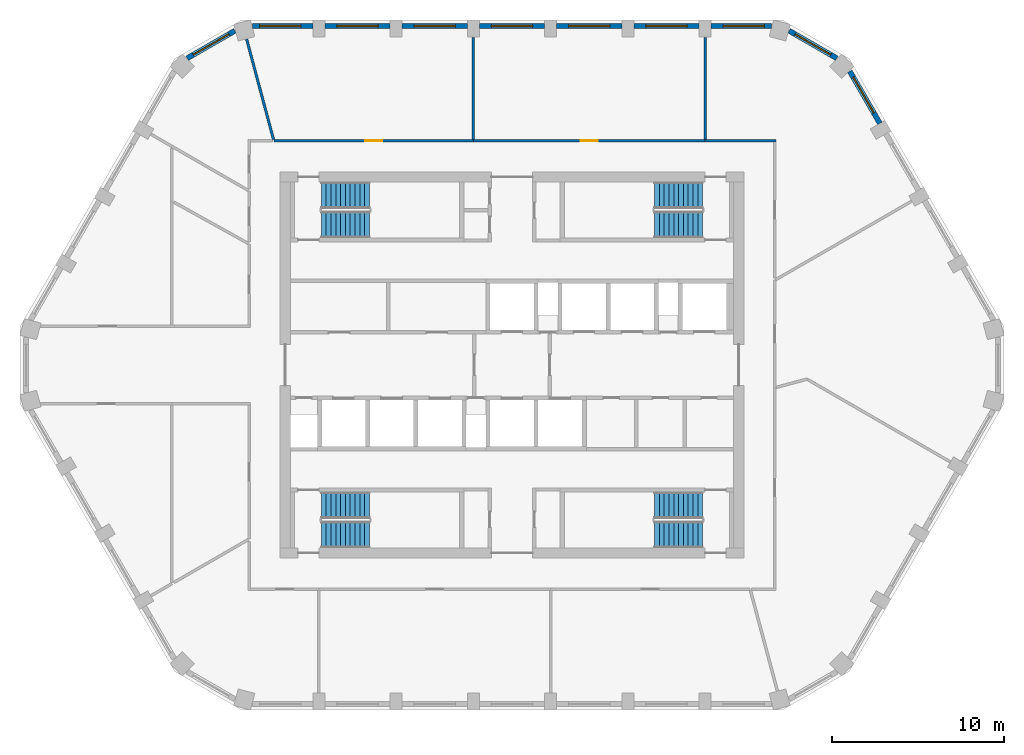
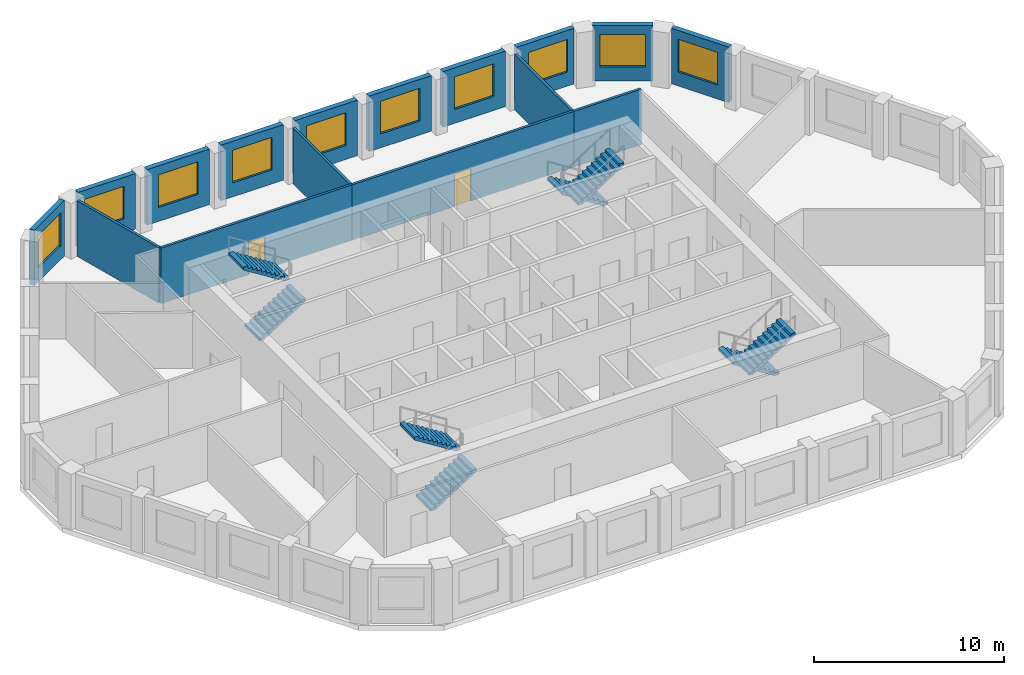
# One storey, part 6 of 7: 16 walls, 10 windows, 8 stair flights, 2 doors, 12 openings, 4 elements without a shape of their own.
"""IFC4 building model written with IfcOpenShell, lengths in metres."""

import ifcopenshell
import ifcopenshell.guid

model = None  # the IFC model being written
_history = None  # IfcOwnerHistory: only IFC2X3 demands one
_inside = {}  # id of a spatial element -> (the spatial element, [elements in it])
_under = {}  # id of a project, library or spatial element -> (it, [spatial elements below it])
_declared = {}  # id of a project -> (the project, [libraries it declares])
_typed = {}  # id of a type object -> (the type object, [elements of that type])
_made_of = {}  # id of a material, layer set ... -> (it, [elements and type objects made of it])


def new_model(schema):
    """Start an empty IFC model of exactly this schema.

    Asked for "IFC4X3", IfcOpenShell would pick the latest addendum, in which some entities
    have other attributes; the version numbers below select the first issue.
    IFC2X3 requires an IfcOwnerHistory on every rooted entity: one is made here for all.
    """
    global model, _history
    if schema == "IFC4X3":
        model = ifcopenshell.file(schema_version=(4, 3, 0, 0))
    else:
        model = ifcopenshell.file(schema=schema)
    _inside.clear()
    _under.clear()
    _declared.clear()
    _typed.clear()
    _made_of.clear()
    _history = None
    if model.schema == "IFC2X3":
        org = make("IfcOrganization", Name="unknown")
        user = make(
            "IfcPersonAndOrganization",
            ThePerson=make("IfcPerson", FamilyName="unknown"),
            TheOrganization=org,
        )
        app = make(
            "IfcApplication",
            ApplicationDeveloper=org,
            Version="unknown",
            ApplicationFullName="unknown",
            ApplicationIdentifier="unknown",
        )
        _history = make(
            "IfcOwnerHistory",
            OwningUser=user,
            OwningApplication=app,
            ChangeAction="ADDED",
            CreationDate=0,
        )
    return model


def make(cls, **values):
    """One entity of the class cls with the attributes given. An attribute that is None is left unset."""
    return model.create_entity(
        cls, **{name: value for name, value in values.items() if value is not None}
    )


def rooted(cls, **values):
    """An entity with a GlobalId (a new one), such as an element, a storey or a relation."""
    return make(cls, GlobalId=ifcopenshell.guid.new(), OwnerHistory=_history, **values)


def si_unit(unit_type, name, prefix=None):
    """IfcSIUnit, for example si_unit("LENGTHUNIT", "METRE", prefix="MILLI")."""
    return make("IfcSIUnit", UnitType=unit_type, Prefix=prefix, Name=name)


def assignment(units):
    """IfcUnitAssignment: the units of a project."""
    return None if units is None else make("IfcUnitAssignment", Units=units)


def point(xyz):
    """IfcCartesianPoint."""
    return None if xyz is None else make("IfcCartesianPoint", Coordinates=xyz)


def direction(xyz):
    """IfcDirection."""
    return None if xyz is None else make("IfcDirection", DirectionRatios=xyz)


def frame(location, z_axis=None, x_axis=None):
    """IfcAxis2Placement3D, a coordinate frame: its origin and axes. An axis left out is left unset."""
    return make(
        "IfcAxis2Placement3D",
        Location=point(location),
        Axis=direction(z_axis),
        RefDirection=direction(x_axis),
    )


def frame_2d(location, x_axis=None):
    """IfcAxis2Placement2D, a coordinate frame in the plane: its origin and x axis."""
    return make(
        "IfcAxis2Placement2D", Location=point(location), RefDirection=direction(x_axis)
    )


def origin():
    """The frame at (0, 0, 0) with its axes left unset."""
    return frame((0.0, 0.0, 0.0))


def place(relative_to, where):
    """IfcLocalPlacement: puts the frame where relative to a parent placement (None: the world)."""
    return make(
        "IfcLocalPlacement", PlacementRelTo=relative_to, RelativePlacement=where
    )


def context(
    kind, dimensions, precision=None, world=None, true_north=None, identifier=None
):
    """IfcGeometricRepresentationContext, for example the 3D "Model" context."""
    return make(
        "IfcGeometricRepresentationContext",
        ContextIdentifier=identifier,
        ContextType=kind,
        CoordinateSpaceDimension=dimensions,
        Precision=precision,
        WorldCoordinateSystem=world,
        TrueNorth=true_north,
    )


def subcontext(parent, identifier, kind, view, scale=None):
    """IfcGeometricRepresentationSubContext, for example "Body" below "Model"."""
    return make(
        "IfcGeometricRepresentationSubContext",
        ContextIdentifier=identifier,
        ContextType=kind,
        ParentContext=parent,
        TargetScale=scale,
        TargetView=view,
    )


def project(units=None, contexts=None):
    """IfcProject with its units and contexts."""
    return rooted(
        "IfcProject",
        Name="project",
        RepresentationContexts=contexts,
        UnitsInContext=assignment(units),
    )


def spatial(cls, under=None, at=None, **own):
    """A site, building, storey or space (cls), placed at a placement, below another one or the project."""
    s = rooted(cls, ObjectPlacement=at, **own)
    if under is not None:
        _under.setdefault(under.id(), (under, []))[1].append(s)
    return s


def polyline(points):
    """IfcPolyline through the points."""
    return make("IfcPolyline", Points=[point(p) for p in points])


def profile(cls, at=None, kind="AREA", **sizes):
    """A parametric profile (cls). Its sizes go by their IFC names, for example OverallWidth=200.0."""
    return make(cls, ProfileType=kind, Position=at, **sizes)


def rectangle(**sizes):
    """IfcRectangleProfileDef."""
    return profile("IfcRectangleProfileDef", **sizes)


def outline(outer, holes=None, kind="AREA"):
    """IfcArbitraryClosedProfileDef: a profile drawn as a closed curve; with holes, ...WithVoids."""
    if holes is None:
        return make("IfcArbitraryClosedProfileDef", ProfileType=kind, OuterCurve=outer)
    return make(
        "IfcArbitraryProfileDefWithVoids",
        ProfileType=kind,
        OuterCurve=outer,
        InnerCurves=holes,
    )


def extrude(swept, where, along, depth):
    """IfcExtrudedAreaSolid: the profile swept, set in the frame where, extruded along a direction by depth."""
    return make(
        "IfcExtrudedAreaSolid",
        SweptArea=swept,
        Position=where,
        ExtrudedDirection=direction(along),
        Depth=depth,
    )


def shape(context_of_items, identifier, shape_type, items):
    """IfcShapeRepresentation: the items that make up one representation, for example the "Body"."""
    return make(
        "IfcShapeRepresentation",
        ContextOfItems=context_of_items,
        RepresentationIdentifier=identifier,
        RepresentationType=shape_type,
        Items=items,
    )


def material(Name=None, Category=None):
    """IfcMaterial."""
    return make("IfcMaterial", Name=Name, Category=Category)


def layer(
    of_material, thickness, ventilated=None, Name=None, Category=None, Priority=None
):
    """IfcMaterialLayer: one layer of a wall or slab, of a material (None: an air gap)."""
    return make(
        "IfcMaterialLayer",
        Material=of_material,
        LayerThickness=thickness,
        IsVentilated=ventilated,
        Name=Name,
        Category=Category,
        Priority=Priority,
    )


def layer_set(layers, Name=None):
    """IfcMaterialLayerSet."""
    return make("IfcMaterialLayerSet", MaterialLayers=layers, LayerSetName=Name)


def made_of(thing, what):
    """Note that an element or type object is made of a material, layer set ...; save() writes the relation."""
    if what is not None:
        _made_of.setdefault(what.id(), (what, []))[1].append(thing)
    return thing


def type_object(cls, material=None, **own):
    """A type object (cls), such as IfcWallType, which elements share."""
    return made_of(rooted(cls, **own), material)


def element(
    cls,
    number,
    at=None,
    inside=None,
    cuts=None,
    type_object=None,
    material=None,
    context=None,
    identifier="Body",
    shape_type=None,
    held_by="IfcProductDefinitionShape",
    body=None,
    shapes=None,
    **own,
):
    """One element of the class cls, such as IfcWall. Its Tag is "e" and its number.

    at: its placement. inside: the storey or other place that contains it. cuts: it is an
    opening in that element (IfcRelVoidsElement). A single representation is given by context,
    identifier, shape_type and body (its items); several are given by shapes. held_by: the class
    of the entity that holds the representations. save() writes the other relations.
    """
    e = rooted(cls, Tag="e%d" % number, ObjectPlacement=at, **own)
    if body is not None:
        shapes = [shape(context, identifier, shape_type, body)]
    if shapes is not None:
        e.Representation = make(held_by, Representations=shapes)
    if inside is not None:
        _inside.setdefault(inside.id(), (inside, []))[1].append(e)
    if cuts is not None:
        rooted(
            "IfcRelVoidsElement", RelatingBuildingElement=cuts, RelatedOpeningElement=e
        )
    if type_object is not None:
        _typed.setdefault(type_object.id(), (type_object, []))[1].append(e)
    return made_of(e, material)


def fill(opening, filler):
    """IfcRelFillsElement: the door or window that sits in an opening."""
    return rooted(
        "IfcRelFillsElement",
        RelatingOpeningElement=opening,
        RelatedBuildingElement=filler,
    )


def aggregate(whole, parts):
    """IfcRelAggregates: a whole, such as a stair, and the parts it consists of."""
    return rooted("IfcRelAggregates", RelatingObject=whole, RelatedObjects=parts)


def save(model, path):
    """Write the relations noted so far, then the file.

    IfcRelAggregates (storeys below a building ...), IfcRelContainedInSpatialStructure (elements
    in a storey), IfcRelDefinesByType, IfcRelAssociatesMaterial and IfcRelDeclares: one each for
    every whole, place, type object, material and project.
    """
    for whole, parts in _under.values():
        aggregate(whole, parts)
    for where, things in _inside.values():
        rooted(
            "IfcRelContainedInSpatialStructure",
            RelatedElements=things,
            RelatingStructure=where,
        )
    for kind, things in _typed.values():
        rooted("IfcRelDefinesByType", RelatedObjects=things, RelatingType=kind)
    for what, things in _made_of.values():
        rooted("IfcRelAssociatesMaterial", RelatedObjects=things, RelatingMaterial=what)
    for by, libraries in _declared.values():
        rooted("IfcRelDeclares", RelatingContext=by, RelatedDefinitions=libraries)
    model.write(path)


model = new_model("IFC4")

# Units and contexts
model_context = context("Model", 3, precision=1e-05, world=origin(), true_north=direction((0.0, 1.0)))
body_context = subcontext(model_context, "Body", "Model", "MODEL_VIEW")
ifc_project = project(units=[si_unit("LENGTHUNIT", "METRE"), si_unit("AREAUNIT", "SQUARE_METRE"), si_unit("VOLUMEUNIT", "CUBIC_METRE"), si_unit("PLANEANGLEUNIT", "RADIAN"), si_unit("MASSUNIT", "GRAM", prefix="KILO")], contexts=[model_context])

# Site, building, storey
site_placement = place(None, origin())
site = spatial("IfcSite", under=ifc_project, at=site_placement, CompositionType="ELEMENT")
building_placement = place(site_placement, origin())
building = spatial("IfcBuilding", under=site, at=building_placement, Name="Dhurran Vertical Campus", CompositionType="ELEMENT")
storey_placement = place(building_placement, frame((0.0, 0.0, 262.5)))
storey = spatial("IfcBuildingStorey", under=building, at=storey_placement, Name="L65", CompositionType="ELEMENT", Elevation=262.5)

# Wall, opening, window
ifc_material_1 = material(Name="Precast concrete C50/60", Category="concrete")
ifc_layer_1 = layer(ifc_material_1, 0.300048828125)
ifc_layer_set_1 = layer_set([ifc_layer_1], Name="Precast concrete C50/60")
wall_type_1 = type_object("IfcWallType", Name="Precast spandrel wall 300", PredefinedType="SOLIDWALL", material=ifc_layer_set_1)
wall_1_placement = place(storey_placement, frame((21.418701171875, 14.06982421875, 0.0), z_axis=(0.0, 0.0, 1.0), x_axis=(-0.499960102815, 0.866048437209, 0.0)))
wall_1 = element("IfcWall", 1, at=wall_1_placement, inside=storey, type_object=wall_type_1, Name="EW1 L65.16", PredefinedType="SOLIDWALL", context=body_context, shape_type="SweptSolid", body=[
    extrude(rectangle(XDim=3.497802734375, YDim=0.300048828125, at=frame_2d((1.7490234375, 0.0))), origin(), (0.0, 0.0, 1.0), 3.574951171875),
])
opening_1_placement = place(wall_1_placement, frame((0.699462890625, 0.0, 0.89990234375)))
opening_1 = element("IfcOpeningElement", 2, at=opening_1_placement, cuts=wall_1, Name="Opening WT1", PredefinedType="OPENING", context=body_context, shape_type="SweptSolid", body=[
    extrude(rectangle(XDim=2.39990234375, YDim=2.10009765625, at=frame_2d((1.199951171875, 1.050048828125))), frame((0.0, 0.159912109375, 0.0), z_axis=(0.0, -1.0, 0.0), x_axis=(1.0, 0.0, 0.0)), (0.0, 0.0, 1.0), 0.320068359375),
])
ifc_material_2 = material(Name="Aluminium frame with solar-control glass", Category="aluminium")
window_type = type_object("IfcWindowType", Name="Punched window 2400 x 2100", PartitioningType="SINGLE_PANEL", PredefinedType="WINDOW", material=ifc_material_2)
window_1_placement = place(opening_1_placement, origin())
window_1 = element("IfcWindow", 3, at=window_1_placement, inside=storey, type_object=window_type, Name="WT1 L65.16", OverallHeight=2.10009765625, OverallWidth=2.39990234375, PartitioningType="SINGLE_PANEL", PredefinedType="WINDOW", context=body_context, shape_type="SweptSolid", body=[
    extrude(rectangle(XDim=2.39990234375, YDim=2.10009765625, at=frame_2d((1.199951171875, 1.050048828125))), frame((0.0, 0.030029296875, 0.0), z_axis=(0.0, -1.0, 0.0), x_axis=(1.0, 0.0, 0.0)), (0.0, 0.0, 1.0), 0.06005859375),
])
fill(opening_1, window_1)

wall_2_placement = place(storey_placement, frame((18.90771484375, 17.861328125, 0.0), z_axis=(0.0, 0.0, 1.0), x_axis=(-0.866025316205, 0.500000151692, 0.0)))
wall_2 = element("IfcWall", 4, at=wall_2_placement, inside=storey, type_object=wall_type_1, Name="EW1 L65.17", PredefinedType="SOLIDWALL", context=body_context, shape_type="SweptSolid", body=[
    extrude(rectangle(XDim=3.1962890625, YDim=0.300048828125, at=frame_2d((1.59814453125, 0.0))), origin(), (0.0, 0.0, 1.0), 3.574951171875),
])
opening_2_placement = place(wall_2_placement, frame((0.398193359375, 0.0, 0.89990234375)))
opening_2 = element("IfcOpeningElement", 5, at=opening_2_placement, cuts=wall_2, Name="Opening WT1", PredefinedType="OPENING", context=body_context, shape_type="SweptSolid", body=[
    extrude(rectangle(XDim=2.39990234375, YDim=2.10009765625, at=frame_2d((1.199951171875, 1.050048828125))), frame((0.0, 0.159912109375, 0.0), z_axis=(0.0, -1.0, 0.0), x_axis=(1.0, 0.0, 0.0)), (0.0, 0.0, 1.0), 0.320068359375),
])
window_2_placement = place(opening_2_placement, origin())
window_2 = element("IfcWindow", 6, at=window_2_placement, inside=storey, type_object=window_type, Name="WT1 L65.17", OverallHeight=2.10009765625, OverallWidth=2.39990234375, PartitioningType="SINGLE_PANEL", PredefinedType="WINDOW", context=body_context, shape_type="SweptSolid", body=[
    extrude(rectangle(XDim=2.39990234375, YDim=2.10009765625, at=frame_2d((1.199951171875, 1.050048828125))), frame((0.0, 0.030029296875, 0.0), z_axis=(0.0, -1.0, 0.0), x_axis=(1.0, 0.0, 0.0)), (0.0, 0.0, 1.0), 0.06005859375),
])
fill(opening_2, window_2)

wall_3_placement = place(storey_placement, frame((15.09814453125, 19.738525390625, 0.0), z_axis=(0.0, 0.0, 1.0), x_axis=(-1.0, 0.0, 0.0)))
wall_3 = element("IfcWall", 7, at=wall_3_placement, inside=storey, type_object=wall_type_1, Name="EW1 L65.18", PredefinedType="SOLIDWALL", context=body_context, shape_type="SweptSolid", body=[
    extrude(rectangle(XDim=3.49755859375, YDim=0.300048828125, at=frame_2d((1.748779296875, 0.0))), origin(), (0.0, 0.0, 1.0), 3.574951171875),
])
opening_3_placement = place(wall_3_placement, frame((0.398193359375, 0.0, 0.89990234375)))
opening_3 = element("IfcOpeningElement", 8, at=opening_3_placement, cuts=wall_3, Name="Opening WT1", PredefinedType="OPENING", context=body_context, shape_type="SweptSolid", body=[
    extrude(rectangle(XDim=2.39990234375, YDim=2.10009765625, at=frame_2d((1.199951171875, 1.050048828125))), frame((0.0, 0.159912109375, 0.0), z_axis=(0.0, -1.0, 0.0), x_axis=(1.0, 0.0, 0.0)), (0.0, 0.0, 1.0), 0.320068359375),
])
window_3_placement = place(opening_3_placement, origin())
window_3 = element("IfcWindow", 9, at=window_3_placement, inside=storey, type_object=window_type, Name="WT1 L65.18", OverallHeight=2.10009765625, OverallWidth=2.39990234375, PartitioningType="SINGLE_PANEL", PredefinedType="WINDOW", context=body_context, shape_type="SweptSolid", body=[
    extrude(rectangle(XDim=2.39990234375, YDim=2.10009765625, at=frame_2d((1.199951171875, 1.050048828125))), frame((0.0, 0.030029296875, 0.0), z_axis=(0.0, -1.0, 0.0), x_axis=(1.0, 0.0, 0.0)), (0.0, 0.0, 1.0), 0.06005859375),
])
fill(opening_3, window_3)

wall_4_placement = place(storey_placement, frame((10.8994140625, 19.738525390625, 0.0), z_axis=(0.0, 0.0, 1.0), x_axis=(-1.0, 0.0, 0.0)))
wall_4 = element("IfcWall", 10, at=wall_4_placement, inside=storey, type_object=wall_type_1, Name="EW1 L65.19", PredefinedType="SOLIDWALL", context=body_context, shape_type="SweptSolid", body=[
    extrude(rectangle(XDim=3.798828125, YDim=0.300048828125, at=frame_2d((1.8994140625, 0.0))), origin(), (0.0, 0.0, 1.0), 3.574951171875),
])
opening_4_placement = place(wall_4_placement, frame((0.699462890625, 0.0, 0.89990234375)))
opening_4 = element("IfcOpeningElement", 11, at=opening_4_placement, cuts=wall_4, Name="Opening WT1", PredefinedType="OPENING", context=body_context, shape_type="SweptSolid", body=[
    extrude(rectangle(XDim=2.39990234375, YDim=2.10009765625, at=frame_2d((1.199951171875, 1.050048828125))), frame((0.0, 0.159912109375, 0.0), z_axis=(0.0, -1.0, 0.0), x_axis=(1.0, 0.0, 0.0)), (0.0, 0.0, 1.0), 0.320068359375),
])
window_4_placement = place(opening_4_placement, origin())
window_4 = element("IfcWindow", 12, at=window_4_placement, inside=storey, type_object=window_type, Name="WT1 L65.19", OverallHeight=2.10009765625, OverallWidth=2.39990234375, PartitioningType="SINGLE_PANEL", PredefinedType="WINDOW", context=body_context, shape_type="SweptSolid", body=[
    extrude(rectangle(XDim=2.39990234375, YDim=2.10009765625, at=frame_2d((1.199951171875, 1.050048828125))), frame((0.0, 0.030029296875, 0.0), z_axis=(0.0, -1.0, 0.0), x_axis=(1.0, 0.0, 0.0)), (0.0, 0.0, 1.0), 0.06005859375),
])
fill(opening_4, window_4)

wall_5_placement = place(storey_placement, frame((6.3994140625, 19.738525390625, 0.0), z_axis=(0.0, 0.0, 1.0), x_axis=(-1.0, 0.0, 0.0)))
wall_5 = element("IfcWall", 13, at=wall_5_placement, inside=storey, type_object=wall_type_1, Name="EW1 L65.20", PredefinedType="SOLIDWALL", context=body_context, shape_type="SweptSolid", body=[
    extrude(rectangle(XDim=3.798828125, YDim=0.300048828125, at=frame_2d((1.8994140625, 0.0))), origin(), (0.0, 0.0, 1.0), 3.574951171875),
])
opening_5_placement = place(wall_5_placement, frame((0.699462890625, 0.0, 0.89990234375)))
opening_5 = element("IfcOpeningElement", 14, at=opening_5_placement, cuts=wall_5, Name="Opening WT1", PredefinedType="OPENING", context=body_context, shape_type="SweptSolid", body=[
    extrude(rectangle(XDim=2.39990234375, YDim=2.10009765625, at=frame_2d((1.199951171875, 1.050048828125))), frame((0.0, 0.159912109375, 0.0), z_axis=(0.0, -1.0, 0.0), x_axis=(1.0, 0.0, 0.0)), (0.0, 0.0, 1.0), 0.320068359375),
])
window_5_placement = place(opening_5_placement, origin())
window_5 = element("IfcWindow", 15, at=window_5_placement, inside=storey, type_object=window_type, Name="WT1 L65.20", OverallHeight=2.10009765625, OverallWidth=2.39990234375, PartitioningType="SINGLE_PANEL", PredefinedType="WINDOW", context=body_context, shape_type="SweptSolid", body=[
    extrude(rectangle(XDim=2.39990234375, YDim=2.10009765625, at=frame_2d((1.199951171875, 1.050048828125))), frame((0.0, 0.030029296875, 0.0), z_axis=(0.0, -1.0, 0.0), x_axis=(1.0, 0.0, 0.0)), (0.0, 0.0, 1.0), 0.06005859375),
])
fill(opening_5, window_5)

wall_6_placement = place(storey_placement, frame((1.8994140625, 19.738525390625, 0.0), z_axis=(0.0, 0.0, 1.0), x_axis=(-1.0, 0.0, 0.0)))
wall_6 = element("IfcWall", 16, at=wall_6_placement, inside=storey, type_object=wall_type_1, Name="EW1 L65.21", PredefinedType="SOLIDWALL", context=body_context, shape_type="SweptSolid", body=[
    extrude(rectangle(XDim=3.798828125, YDim=0.300048828125, at=frame_2d((1.8994140625, 0.0))), origin(), (0.0, 0.0, 1.0), 3.574951171875),
])
opening_6_placement = place(wall_6_placement, frame((0.699462890625, 0.0, 0.89990234375)))
opening_6 = element("IfcOpeningElement", 17, at=opening_6_placement, cuts=wall_6, Name="Opening WT1", PredefinedType="OPENING", context=body_context, shape_type="SweptSolid", body=[
    extrude(rectangle(XDim=2.39990234375, YDim=2.10009765625, at=frame_2d((1.199951171875, 1.050048828125))), frame((0.0, 0.159912109375, 0.0), z_axis=(0.0, -1.0, 0.0), x_axis=(1.0, 0.0, 0.0)), (0.0, 0.0, 1.0), 0.320068359375),
])
window_6_placement = place(opening_6_placement, origin())
window_6 = element("IfcWindow", 18, at=window_6_placement, inside=storey, type_object=window_type, Name="WT1 L65.21", OverallHeight=2.10009765625, OverallWidth=2.39990234375, PartitioningType="SINGLE_PANEL", PredefinedType="WINDOW", context=body_context, shape_type="SweptSolid", body=[
    extrude(rectangle(XDim=2.39990234375, YDim=2.10009765625, at=frame_2d((1.199951171875, 1.050048828125))), frame((0.0, 0.030029296875, 0.0), z_axis=(0.0, -1.0, 0.0), x_axis=(1.0, 0.0, 0.0)), (0.0, 0.0, 1.0), 0.06005859375),
])
fill(opening_6, window_6)

wall_7_placement = place(storey_placement, frame((-2.6005859375, 19.738525390625, 0.0), z_axis=(0.0, 0.0, 1.0), x_axis=(-1.0, 0.0, 0.0)))
wall_7 = element("IfcWall", 19, at=wall_7_placement, inside=storey, type_object=wall_type_1, Name="EW1 L65.22", PredefinedType="SOLIDWALL", context=body_context, shape_type="SweptSolid", body=[
    extrude(rectangle(XDim=3.798828125, YDim=0.300048828125, at=frame_2d((1.8994140625, 0.0))), origin(), (0.0, 0.0, 1.0), 3.574951171875),
])
opening_7_placement = place(wall_7_placement, frame((0.699462890625, 0.0, 0.89990234375)))
opening_7 = element("IfcOpeningElement", 20, at=opening_7_placement, cuts=wall_7, Name="Opening WT1", PredefinedType="OPENING", context=body_context, shape_type="SweptSolid", body=[
    extrude(rectangle(XDim=2.39990234375, YDim=2.10009765625, at=frame_2d((1.199951171875, 1.050048828125))), frame((0.0, 0.159912109375, 0.0), z_axis=(0.0, -1.0, 0.0), x_axis=(1.0, 0.0, 0.0)), (0.0, 0.0, 1.0), 0.320068359375),
])
window_7_placement = place(opening_7_placement, origin())
window_7 = element("IfcWindow", 21, at=window_7_placement, inside=storey, type_object=window_type, Name="WT1 L65.22", OverallHeight=2.10009765625, OverallWidth=2.39990234375, PartitioningType="SINGLE_PANEL", PredefinedType="WINDOW", context=body_context, shape_type="SweptSolid", body=[
    extrude(rectangle(XDim=2.39990234375, YDim=2.10009765625, at=frame_2d((1.199951171875, 1.050048828125))), frame((0.0, 0.030029296875, 0.0), z_axis=(0.0, -1.0, 0.0), x_axis=(1.0, 0.0, 0.0)), (0.0, 0.0, 1.0), 0.06005859375),
])
fill(opening_7, window_7)

wall_8_placement = place(storey_placement, frame((-7.1005859375, 19.738525390625, 0.0), z_axis=(0.0, 0.0, 1.0), x_axis=(-1.0, 0.0, 0.0)))
wall_8 = element("IfcWall", 22, at=wall_8_placement, inside=storey, type_object=wall_type_1, Name="EW1 L65.23", PredefinedType="SOLIDWALL", context=body_context, shape_type="SweptSolid", body=[
    extrude(rectangle(XDim=3.798828125, YDim=0.300048828125, at=frame_2d((1.8994140625, 0.0))), origin(), (0.0, 0.0, 1.0), 3.574951171875),
])
opening_8_placement = place(wall_8_placement, frame((0.699462890625, 0.0, 0.89990234375)))
opening_8 = element("IfcOpeningElement", 23, at=opening_8_placement, cuts=wall_8, Name="Opening WT1", PredefinedType="OPENING", context=body_context, shape_type="SweptSolid", body=[
    extrude(rectangle(XDim=2.39990234375, YDim=2.10009765625, at=frame_2d((1.199951171875, 1.050048828125))), frame((0.0, 0.159912109375, 0.0), z_axis=(0.0, -1.0, 0.0), x_axis=(1.0, 0.0, 0.0)), (0.0, 0.0, 1.0), 0.320068359375),
])
window_8_placement = place(opening_8_placement, origin())
window_8 = element("IfcWindow", 24, at=window_8_placement, inside=storey, type_object=window_type, Name="WT1 L65.23", OverallHeight=2.10009765625, OverallWidth=2.39990234375, PartitioningType="SINGLE_PANEL", PredefinedType="WINDOW", context=body_context, shape_type="SweptSolid", body=[
    extrude(rectangle(XDim=2.39990234375, YDim=2.10009765625, at=frame_2d((1.199951171875, 1.050048828125))), frame((0.0, 0.030029296875, 0.0), z_axis=(0.0, -1.0, 0.0), x_axis=(1.0, 0.0, 0.0)), (0.0, 0.0, 1.0), 0.06005859375),
])
fill(opening_8, window_8)

wall_9_placement = place(storey_placement, frame((-11.6005859375, 19.738525390625, 0.0), z_axis=(0.0, 0.0, 1.0), x_axis=(-1.0, 0.0, 0.0)))
wall_9 = element("IfcWall", 25, at=wall_9_placement, inside=storey, type_object=wall_type_1, Name="EW1 L65.24", PredefinedType="SOLIDWALL", context=body_context, shape_type="SweptSolid", body=[
    extrude(rectangle(XDim=3.49755859375, YDim=0.300048828125, at=frame_2d((1.748779296875, 0.0))), origin(), (0.0, 0.0, 1.0), 3.574951171875),
])
opening_9_placement = place(wall_9_placement, frame((0.699462890625, 0.0, 0.89990234375)))
opening_9 = element("IfcOpeningElement", 26, at=opening_9_placement, cuts=wall_9, Name="Opening WT1", PredefinedType="OPENING", context=body_context, shape_type="SweptSolid", body=[
    extrude(rectangle(XDim=2.39990234375, YDim=2.10009765625, at=frame_2d((1.199951171875, 1.050048828125))), frame((0.0, 0.159912109375, 0.0), z_axis=(0.0, -1.0, 0.0), x_axis=(1.0, 0.0, 0.0)), (0.0, 0.0, 1.0), 0.320068359375),
])
window_9_placement = place(opening_9_placement, origin())
window_9 = element("IfcWindow", 27, at=window_9_placement, inside=storey, type_object=window_type, Name="WT1 L65.24", OverallHeight=2.10009765625, OverallWidth=2.39990234375, PartitioningType="SINGLE_PANEL", PredefinedType="WINDOW", context=body_context, shape_type="SweptSolid", body=[
    extrude(rectangle(XDim=2.39990234375, YDim=2.10009765625, at=frame_2d((1.199951171875, 1.050048828125))), frame((0.0, 0.030029296875, 0.0), z_axis=(0.0, -1.0, 0.0), x_axis=(1.0, 0.0, 0.0)), (0.0, 0.0, 1.0), 0.06005859375),
])
fill(opening_9, window_9)

wall_10_placement = place(storey_placement, frame((-16.1396484375, 19.45947265625, 0.0), z_axis=(0.0, 0.0, 1.0), x_axis=(-0.866025316205, -0.500000151692, 0.0)))
wall_10 = element("IfcWall", 28, at=wall_10_placement, inside=storey, type_object=wall_type_1, Name="EW1 L65.25", PredefinedType="SOLIDWALL", context=body_context, shape_type="SweptSolid", body=[
    extrude(rectangle(XDim=3.1962890625, YDim=0.300048828125, at=frame_2d((1.59814453125, 0.0))), origin(), (0.0, 0.0, 1.0), 3.574951171875),
])
opening_10_placement = place(wall_10_placement, frame((0.398193359375, 0.0, 0.89990234375)))
opening_10 = element("IfcOpeningElement", 29, at=opening_10_placement, cuts=wall_10, Name="Opening WT1", PredefinedType="OPENING", context=body_context, shape_type="SweptSolid", body=[
    extrude(rectangle(XDim=2.39990234375, YDim=2.10009765625, at=frame_2d((1.199951171875, 1.050048828125))), frame((0.0, 0.159912109375, 0.0), z_axis=(0.0, -1.0, 0.0), x_axis=(1.0, 0.0, 0.0)), (0.0, 0.0, 1.0), 0.320068359375),
])
window_10_placement = place(opening_10_placement, origin())
window_10 = element("IfcWindow", 30, at=window_10_placement, inside=storey, type_object=window_type, Name="WT1 L65.25", OverallHeight=2.10009765625, OverallWidth=2.39990234375, PartitioningType="SINGLE_PANEL", PredefinedType="WINDOW", context=body_context, shape_type="SweptSolid", body=[
    extrude(rectangle(XDim=2.39990234375, YDim=2.10009765625, at=frame_2d((1.199951171875, 1.050048828125))), frame((0.0, 0.030029296875, 0.0), z_axis=(0.0, -1.0, 0.0), x_axis=(1.0, 0.0, 0.0)), (0.0, 0.0, 1.0), 0.06005859375),
])
fill(opening_10, window_10)

# Wall, opening, door
ifc_material_3 = material(Name="Gypsum board corridor wall on steel studs", Category="steel")
ifc_layer_2 = layer(ifc_material_3, 0.14990234375)
ifc_layer_set_2 = layer_set([ifc_layer_2], Name="Gypsum board corridor wall on steel studs")
wall_type_2 = type_object("IfcWallType", Name="fl-CW-150 corridor wall", PredefinedType="PARTITIONING", material=ifc_layer_set_2)
wall_11_placement = place(storey_placement, frame((-2.25, 13.050048828125, 0.0), z_axis=(0.0, 0.0, 1.0), x_axis=(-1.0, 0.0, 0.0)))
wall_11 = element("IfcWall", 31, at=wall_11_placement, inside=storey, type_object=wall_type_2, Name="Partition 65-21", PredefinedType="PARTITIONING", context=body_context, shape_type="SweptSolid", body=[
    extrude(rectangle(XDim=11.614013671875, YDim=0.14990234375, at=frame_2d((5.80712890625, 0.0))), origin(), (0.0, 0.0, 1.0), 3.574951171875),
])
opening_11_placement = place(wall_11_placement, frame((5.306884765625, 0.0, 0.0)))
opening_11 = element("IfcOpeningElement", 32, at=opening_11_placement, cuts=wall_11, Name="Opening T19.08", PredefinedType="OPENING", context=body_context, shape_type="SweptSolid", body=[
    extrude(rectangle(XDim=1.0, YDim=2.10009765625, at=frame_2d((0.5, 1.050048828125))), frame((0.0, 0.0849609375, 0.0), z_axis=(0.0, -1.0, 0.0), x_axis=(1.0, 0.0, 0.0)), (0.0, 0.0, 1.0), 0.169921875),
])
ifc_material_4 = material(Name="Solid-core timber door set, fire-rated", Category="wood")
door_type = type_object("IfcDoorType", Name="fl-D-1000x2100", OperationType="SINGLE_SWING_LEFT", PredefinedType="DOOR", material=ifc_material_4)
door_1_placement = place(opening_11_placement, origin())
door_1 = element("IfcDoor", 33, at=door_1_placement, inside=storey, type_object=door_type, Name="Door 65.08", OperationType="SINGLE_SWING_LEFT", OverallHeight=2.10009765625, OverallWidth=1.0, PredefinedType="DOOR", context=body_context, shape_type="SweptSolid", body=[
    extrude(rectangle(XDim=1.0, YDim=2.10009765625, at=frame_2d((0.5, 1.050048828125))), frame((0.0, 0.02490234375, 0.0), z_axis=(0.0, -1.0, 0.0), x_axis=(1.0, 0.0, 0.0)), (0.0, 0.0, 1.0), 0.050048828125),
])
fill(opening_11, door_1)

wall_12_placement = place(storey_placement, frame((11.25, 13.050048828125, 0.0), z_axis=(0.0, 0.0, 1.0), x_axis=(-1.0, 0.0, 0.0)))
wall_12 = element("IfcWall", 34, at=wall_12_placement, inside=storey, type_object=wall_type_2, Name="Partition 65-25", PredefinedType="PARTITIONING", context=body_context, shape_type="SweptSolid", body=[
    extrude(rectangle(XDim=13.5, YDim=0.14990234375, at=frame_2d((6.75, 0.0))), origin(), (0.0, 0.0, 1.0), 3.574951171875),
])
opening_12_placement = place(wall_12_placement, frame((6.25, 0.0, 0.0)))
opening_12 = element("IfcOpeningElement", 35, at=opening_12_placement, cuts=wall_12, Name="Opening T19.10", PredefinedType="OPENING", context=body_context, shape_type="SweptSolid", body=[
    extrude(rectangle(XDim=1.0, YDim=2.10009765625, at=frame_2d((0.5, 1.050048828125))), frame((0.0, 0.0849609375, 0.0), z_axis=(0.0, -1.0, 0.0), x_axis=(1.0, 0.0, 0.0)), (0.0, 0.0, 1.0), 0.169921875),
])
door_2_placement = place(opening_12_placement, origin())
door_2 = element("IfcDoor", 36, at=door_2_placement, inside=storey, type_object=door_type, Name="Door 65.10", OperationType="SINGLE_SWING_LEFT", OverallHeight=2.10009765625, OverallWidth=1.0, PredefinedType="DOOR", context=body_context, shape_type="SweptSolid", body=[
    extrude(rectangle(XDim=1.0, YDim=2.10009765625, at=frame_2d((0.5, 1.050048828125))), frame((0.0, 0.02490234375, 0.0), z_axis=(0.0, -1.0, 0.0), x_axis=(1.0, 0.0, 0.0)), (0.0, 0.0, 1.0), 0.050048828125),
])
fill(opening_12, door_2)

# Walls
wall_13_placement = place(storey_placement, frame((15.375, 13.050048828125, 0.0), z_axis=(0.0, 0.0, 1.0), x_axis=(-1.0, 0.0, 0.0)))
element("IfcWall", 37, at=wall_13_placement, inside=storey, type_object=wall_type_2, Name="Partition 65-29", PredefinedType="PARTITIONING", context=body_context, shape_type="SweptSolid", body=[
    extrude(rectangle(XDim=4.125, YDim=0.14990234375, at=frame_2d((2.0625, 0.0))), origin(), (0.0, 0.0, 1.0), 3.574951171875),
])
ifc_material_5 = material(Name="Gypsum board partition on steel studs", Category="steel")
ifc_layer_3 = layer(ifc_material_5, 0.14990234375)
ifc_layer_set_3 = layer_set([ifc_layer_3], Name="Gypsum board partition on steel studs")
wall_type_3 = type_object("IfcWallType", Name="fl-PW-150 fixed partition", PredefinedType="PARTITIONING", material=ifc_layer_set_3)
wall_14_placement = place(storey_placement, frame((-15.45166015625, 18.9736328125, 0.0), z_axis=(0.0, 0.0, 1.0), x_axis=(0.258896568031, -0.965905050749, 0.0)))
element("IfcWall", 38, at=wall_14_placement, inside=storey, type_object=wall_type_3, Name="Partition 65-13", PredefinedType="PARTITIONING", context=body_context, shape_type="SweptSolid", body=[
    extrude(rectangle(XDim=6.057861328125, YDim=0.14990234375, at=frame_2d((3.02880859375, 0.0))), origin(), (0.0, 0.0, 1.0), 3.574951171875),
])
for number, where, z_axis, x_axis, name in (
    (39, (-2.25, 19.068603515625, 0.0), (0.0, 0.0, 1.0), (0.0, -1.0, 0.0), "Partition 65-24"),
    (40, (11.25, 19.068603515625, 0.0), (0.0, 0.0, 1.0), (0.0, -1.0, 0.0), "Partition 65-28"),
):
    element("IfcWall", number, at=place(storey_placement, frame(where, z_axis=z_axis, x_axis=x_axis)), inside=storey, type_object=wall_type_3, Name=name, PredefinedType="PARTITIONING", context=body_context, shape_type="SweptSolid", body=[
        extrude(rectangle(XDim=5.943603515625, YDim=0.14990234375, at=frame_2d((2.9716796875, 0.0))), origin(), (0.0, 0.0, 1.0), 3.574951171875),
    ])

# Stair, stair flights
ifc_material_6 = material(Name="Concrete C40/50", Category="concrete")
stair_type = type_object("IfcStairType", Name="co-ST-CORE", PredefinedType="HALF_TURN_STAIR", material=ifc_material_6)
stair_1_placement = place(storey_placement, origin())
stair_1 = element("IfcStair", 41, at=stair_1_placement, inside=storey, type_object=stair_type, Name="L65 Protected exit stair ST1", PredefinedType="HALF_TURN_STAIR")
ifc_material_7 = material(Name="Concrete C40/50", Category="concrete")
stair_flight_type = type_object("IfcStairFlightType", Name="co-SFL-RC", PredefinedType="STRAIGHT", material=ifc_material_7)
stair_flight_1_placement = place(storey_placement, frame((-11.10009765625, 8.175048828125, 0.0), z_axis=(0.0, 0.0, 1.0), x_axis=(1.0, 0.0, 0.0)))
stair_flight_1 = element("IfcStairFlight", 42, at=stair_flight_1_placement, type_object=stair_flight_type, Name="ST1 flight 1", NumberOfRisers=11, NumberOfTreads=10, PredefinedType="STRAIGHT", RiserHeight=0.177272727, TreadLength=0.28, context=body_context, shape_type="SweptSolid", body=[
    extrude(outline(polyline([(0.0, 0.0), (0.0, 0.17724609375), (0.280029296875, 0.17724609375), (0.280029296875, 0.3544921875), (0.56005859375, 0.3544921875), (0.56005859375, 0.53173828125), (0.840087890625, 0.53173828125), (0.840087890625, 0.708984375), (1.1201171875, 0.708984375), (1.1201171875, 0.886474609375), (1.39990234375, 0.886474609375), (1.39990234375, 1.063720703125), (1.679931640625, 1.063720703125), (1.679931640625, 1.240966796875), (1.9599609375, 1.240966796875), (1.9599609375, 1.418212890625), (2.239990234375, 1.418212890625), (2.239990234375, 1.595458984375), (2.52001953125, 1.595458984375), (2.52001953125, 1.772705078125), (2.800048828125, 1.772705078125), (2.800048828125, 1.949951171875), (2.800048828125, 1.59521484375), (0.2802734375, 0.0), (0.0, 0.0)])), frame((0.0, 0.77490234375, 0.0), z_axis=(0.0, -1.0, 0.0), x_axis=(1.0, 0.0, 0.0)), (0.0, 0.0, 1.0), 1.550048828125),
])
stair_flight_2_placement = place(storey_placement, frame((-8.300048828125, 9.875, 1.949951171875), z_axis=(0.0, 0.0, 1.0), x_axis=(-1.0, 0.0, 0.0)))
stair_flight_2 = element("IfcStairFlight", 43, at=stair_flight_2_placement, type_object=stair_flight_type, Name="ST1 flight 2", NumberOfRisers=11, NumberOfTreads=10, PredefinedType="STRAIGHT", RiserHeight=0.177272727, TreadLength=0.28, context=body_context, shape_type="SweptSolid", body=[
    extrude(outline(polyline([(0.0, 0.0), (0.0, 0.17724609375), (0.280029296875, 0.17724609375), (0.280029296875, 0.3544921875), (0.56005859375, 0.3544921875), (0.56005859375, 0.53173828125), (0.840087890625, 0.53173828125), (0.840087890625, 0.708984375), (1.1201171875, 0.708984375), (1.1201171875, 0.886474609375), (1.39990234375, 0.886474609375), (1.39990234375, 1.063720703125), (1.679931640625, 1.063720703125), (1.679931640625, 1.240966796875), (1.9599609375, 1.240966796875), (1.9599609375, 1.418212890625), (2.239990234375, 1.418212890625), (2.239990234375, 1.595458984375), (2.52001953125, 1.595458984375), (2.52001953125, 1.772705078125), (2.800048828125, 1.772705078125), (2.800048828125, 1.949951171875), (2.800048828125, 1.59521484375), (0.2802734375, 0.0), (0.0, 0.0)])), frame((0.0, 0.77490234375, 0.0), z_axis=(0.0, -1.0, 0.0), x_axis=(1.0, 0.0, 0.0)), (0.0, 0.0, 1.0), 1.550048828125),
])
aggregate(stair_1, [stair_flight_1, stair_flight_2])

stair_2_placement = place(storey_placement, origin())
stair_2 = element("IfcStair", 44, at=stair_2_placement, inside=storey, type_object=stair_type, Name="L65 Protected exit stair ST2", PredefinedType="HALF_TURN_STAIR")
stair_flight_3_placement = place(storey_placement, frame((11.10009765625, 9.875, 0.0), z_axis=(0.0, 0.0, 1.0), x_axis=(-1.0, 0.0, 0.0)))
stair_flight_3 = element("IfcStairFlight", 45, at=stair_flight_3_placement, type_object=stair_flight_type, Name="ST2 flight 1", NumberOfRisers=11, NumberOfTreads=10, PredefinedType="STRAIGHT", RiserHeight=0.177272727, TreadLength=0.28, context=body_context, shape_type="SweptSolid", body=[
    extrude(outline(polyline([(0.0, 0.0), (0.0, 0.17724609375), (0.280029296875, 0.17724609375), (0.280029296875, 0.3544921875), (0.56005859375, 0.3544921875), (0.56005859375, 0.53173828125), (0.840087890625, 0.53173828125), (0.840087890625, 0.708984375), (1.1201171875, 0.708984375), (1.1201171875, 0.886474609375), (1.39990234375, 0.886474609375), (1.39990234375, 1.063720703125), (1.679931640625, 1.063720703125), (1.679931640625, 1.240966796875), (1.9599609375, 1.240966796875), (1.9599609375, 1.418212890625), (2.239990234375, 1.418212890625), (2.239990234375, 1.595458984375), (2.52001953125, 1.595458984375), (2.52001953125, 1.772705078125), (2.800048828125, 1.772705078125), (2.800048828125, 1.949951171875), (2.800048828125, 1.59521484375), (0.2802734375, 0.0), (0.0, 0.0)])), frame((0.0, 0.77490234375, 0.0), z_axis=(0.0, -1.0, 0.0), x_axis=(1.0, 0.0, 0.0)), (0.0, 0.0, 1.0), 1.550048828125),
])
stair_flight_4_placement = place(storey_placement, frame((8.300048828125, 8.175048828125, 1.949951171875), z_axis=(0.0, 0.0, 1.0), x_axis=(1.0, 0.0, 0.0)))
stair_flight_4 = element("IfcStairFlight", 46, at=stair_flight_4_placement, type_object=stair_flight_type, Name="ST2 flight 2", NumberOfRisers=11, NumberOfTreads=10, PredefinedType="STRAIGHT", RiserHeight=0.177272727, TreadLength=0.28, context=body_context, shape_type="SweptSolid", body=[
    extrude(outline(polyline([(0.0, 0.0), (0.0, 0.17724609375), (0.280029296875, 0.17724609375), (0.280029296875, 0.3544921875), (0.56005859375, 0.3544921875), (0.56005859375, 0.53173828125), (0.840087890625, 0.53173828125), (0.840087890625, 0.708984375), (1.1201171875, 0.708984375), (1.1201171875, 0.886474609375), (1.39990234375, 0.886474609375), (1.39990234375, 1.063720703125), (1.679931640625, 1.063720703125), (1.679931640625, 1.240966796875), (1.9599609375, 1.240966796875), (1.9599609375, 1.418212890625), (2.239990234375, 1.418212890625), (2.239990234375, 1.595458984375), (2.52001953125, 1.595458984375), (2.52001953125, 1.772705078125), (2.800048828125, 1.772705078125), (2.800048828125, 1.949951171875), (2.800048828125, 1.59521484375), (0.2802734375, 0.0), (0.0, 0.0)])), frame((0.0, 0.77490234375, 0.0), z_axis=(0.0, -1.0, 0.0), x_axis=(1.0, 0.0, 0.0)), (0.0, 0.0, 1.0), 1.550048828125),
])
aggregate(stair_2, [stair_flight_3, stair_flight_4])

stair_3_placement = place(storey_placement, origin())
stair_3 = element("IfcStair", 47, at=stair_3_placement, inside=storey, type_object=stair_type, Name="L65 Protected exit stair ST3", PredefinedType="HALF_TURN_STAIR")
stair_flight_5_placement = place(storey_placement, frame((-11.10009765625, -9.875, 0.0), z_axis=(0.0, 0.0, 1.0), x_axis=(1.0, 0.0, 0.0)))
stair_flight_5 = element("IfcStairFlight", 48, at=stair_flight_5_placement, type_object=stair_flight_type, Name="ST3 flight 1", NumberOfRisers=11, NumberOfTreads=10, PredefinedType="STRAIGHT", RiserHeight=0.177272727, TreadLength=0.28, context=body_context, shape_type="SweptSolid", body=[
    extrude(outline(polyline([(0.0, 0.0), (0.0, 0.17724609375), (0.280029296875, 0.17724609375), (0.280029296875, 0.3544921875), (0.56005859375, 0.3544921875), (0.56005859375, 0.53173828125), (0.840087890625, 0.53173828125), (0.840087890625, 0.708984375), (1.1201171875, 0.708984375), (1.1201171875, 0.886474609375), (1.39990234375, 0.886474609375), (1.39990234375, 1.063720703125), (1.679931640625, 1.063720703125), (1.679931640625, 1.240966796875), (1.9599609375, 1.240966796875), (1.9599609375, 1.418212890625), (2.239990234375, 1.418212890625), (2.239990234375, 1.595458984375), (2.52001953125, 1.595458984375), (2.52001953125, 1.772705078125), (2.800048828125, 1.772705078125), (2.800048828125, 1.949951171875), (2.800048828125, 1.59521484375), (0.2802734375, 0.0), (0.0, 0.0)])), frame((0.0, 0.77490234375, 0.0), z_axis=(0.0, -1.0, 0.0), x_axis=(1.0, 0.0, 0.0)), (0.0, 0.0, 1.0), 1.550048828125),
])
stair_flight_6_placement = place(storey_placement, frame((-8.300048828125, -8.175048828125, 1.949951171875), z_axis=(0.0, 0.0, 1.0), x_axis=(-1.0, 0.0, 0.0)))
stair_flight_6 = element("IfcStairFlight", 49, at=stair_flight_6_placement, type_object=stair_flight_type, Name="ST3 flight 2", NumberOfRisers=11, NumberOfTreads=10, PredefinedType="STRAIGHT", RiserHeight=0.177272727, TreadLength=0.28, context=body_context, shape_type="SweptSolid", body=[
    extrude(outline(polyline([(0.0, 0.0), (0.0, 0.17724609375), (0.280029296875, 0.17724609375), (0.280029296875, 0.3544921875), (0.56005859375, 0.3544921875), (0.56005859375, 0.53173828125), (0.840087890625, 0.53173828125), (0.840087890625, 0.708984375), (1.1201171875, 0.708984375), (1.1201171875, 0.886474609375), (1.39990234375, 0.886474609375), (1.39990234375, 1.063720703125), (1.679931640625, 1.063720703125), (1.679931640625, 1.240966796875), (1.9599609375, 1.240966796875), (1.9599609375, 1.418212890625), (2.239990234375, 1.418212890625), (2.239990234375, 1.595458984375), (2.52001953125, 1.595458984375), (2.52001953125, 1.772705078125), (2.800048828125, 1.772705078125), (2.800048828125, 1.949951171875), (2.800048828125, 1.59521484375), (0.2802734375, 0.0), (0.0, 0.0)])), frame((0.0, 0.77490234375, 0.0), z_axis=(0.0, -1.0, 0.0), x_axis=(1.0, 0.0, 0.0)), (0.0, 0.0, 1.0), 1.550048828125),
])
aggregate(stair_3, [stair_flight_5, stair_flight_6])

stair_4_placement = place(storey_placement, origin())
stair_4 = element("IfcStair", 50, at=stair_4_placement, inside=storey, type_object=stair_type, Name="L65 Protected exit stair ST4", PredefinedType="HALF_TURN_STAIR")
stair_flight_7_placement = place(storey_placement, frame((11.10009765625, -8.175048828125, 0.0), z_axis=(0.0, 0.0, 1.0), x_axis=(-1.0, 0.0, 0.0)))
stair_flight_7 = element("IfcStairFlight", 51, at=stair_flight_7_placement, type_object=stair_flight_type, Name="ST4 flight 1", NumberOfRisers=11, NumberOfTreads=10, PredefinedType="STRAIGHT", RiserHeight=0.177272727, TreadLength=0.28, context=body_context, shape_type="SweptSolid", body=[
    extrude(outline(polyline([(0.0, 0.0), (0.0, 0.17724609375), (0.280029296875, 0.17724609375), (0.280029296875, 0.3544921875), (0.56005859375, 0.3544921875), (0.56005859375, 0.53173828125), (0.840087890625, 0.53173828125), (0.840087890625, 0.708984375), (1.1201171875, 0.708984375), (1.1201171875, 0.886474609375), (1.39990234375, 0.886474609375), (1.39990234375, 1.063720703125), (1.679931640625, 1.063720703125), (1.679931640625, 1.240966796875), (1.9599609375, 1.240966796875), (1.9599609375, 1.418212890625), (2.239990234375, 1.418212890625), (2.239990234375, 1.595458984375), (2.52001953125, 1.595458984375), (2.52001953125, 1.772705078125), (2.800048828125, 1.772705078125), (2.800048828125, 1.949951171875), (2.800048828125, 1.59521484375), (0.2802734375, 0.0), (0.0, 0.0)])), frame((0.0, 0.77490234375, 0.0), z_axis=(0.0, -1.0, 0.0), x_axis=(1.0, 0.0, 0.0)), (0.0, 0.0, 1.0), 1.550048828125),
])
stair_flight_8_placement = place(storey_placement, frame((8.300048828125, -9.875, 1.949951171875), z_axis=(0.0, 0.0, 1.0), x_axis=(1.0, 0.0, 0.0)))
stair_flight_8 = element("IfcStairFlight", 52, at=stair_flight_8_placement, type_object=stair_flight_type, Name="ST4 flight 2", NumberOfRisers=11, NumberOfTreads=10, PredefinedType="STRAIGHT", RiserHeight=0.177272727, TreadLength=0.28, context=body_context, shape_type="SweptSolid", body=[
    extrude(outline(polyline([(0.0, 0.0), (0.0, 0.17724609375), (0.280029296875, 0.17724609375), (0.280029296875, 0.3544921875), (0.56005859375, 0.3544921875), (0.56005859375, 0.53173828125), (0.840087890625, 0.53173828125), (0.840087890625, 0.708984375), (1.1201171875, 0.708984375), (1.1201171875, 0.886474609375), (1.39990234375, 0.886474609375), (1.39990234375, 1.063720703125), (1.679931640625, 1.063720703125), (1.679931640625, 1.240966796875), (1.9599609375, 1.240966796875), (1.9599609375, 1.418212890625), (2.239990234375, 1.418212890625), (2.239990234375, 1.595458984375), (2.52001953125, 1.595458984375), (2.52001953125, 1.772705078125), (2.800048828125, 1.772705078125), (2.800048828125, 1.949951171875), (2.800048828125, 1.59521484375), (0.2802734375, 0.0), (0.0, 0.0)])), frame((0.0, 0.77490234375, 0.0), z_axis=(0.0, -1.0, 0.0), x_axis=(1.0, 0.0, 0.0)), (0.0, 0.0, 1.0), 1.550048828125),
])
aggregate(stair_4, [stair_flight_7, stair_flight_8])

save(model, "model.ifc")
